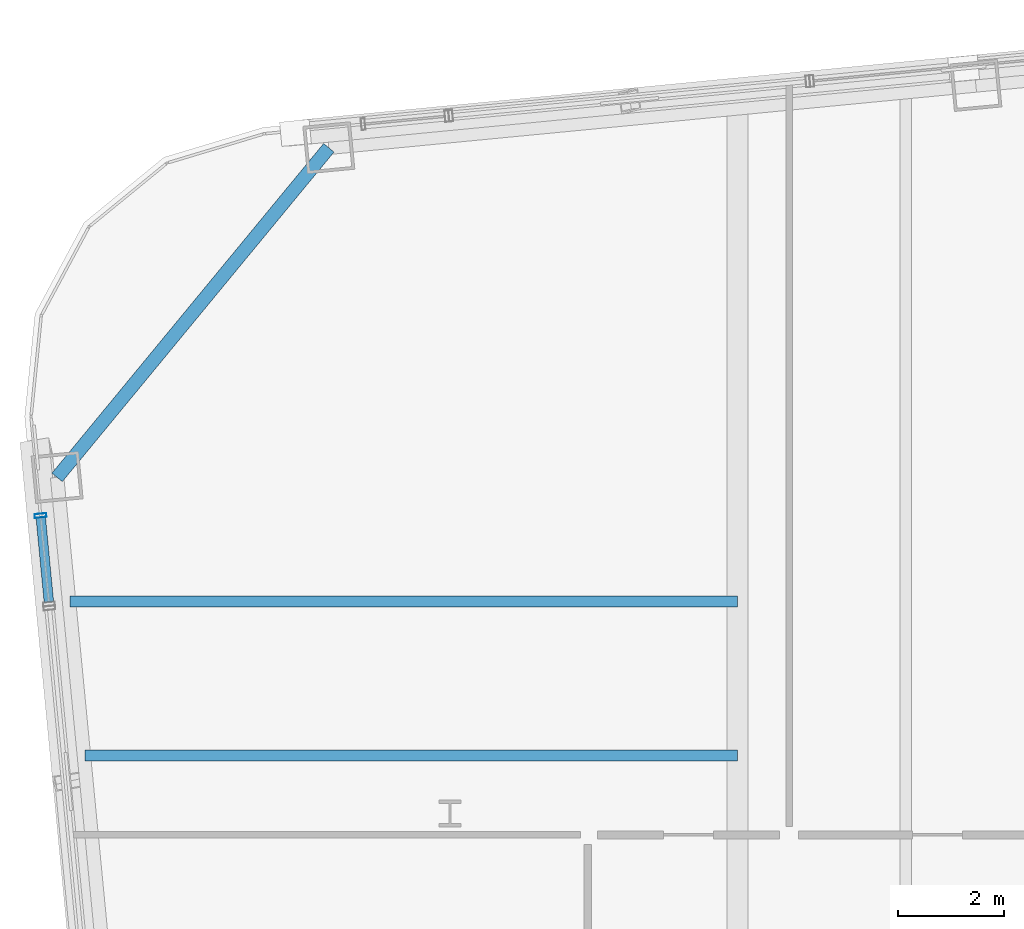
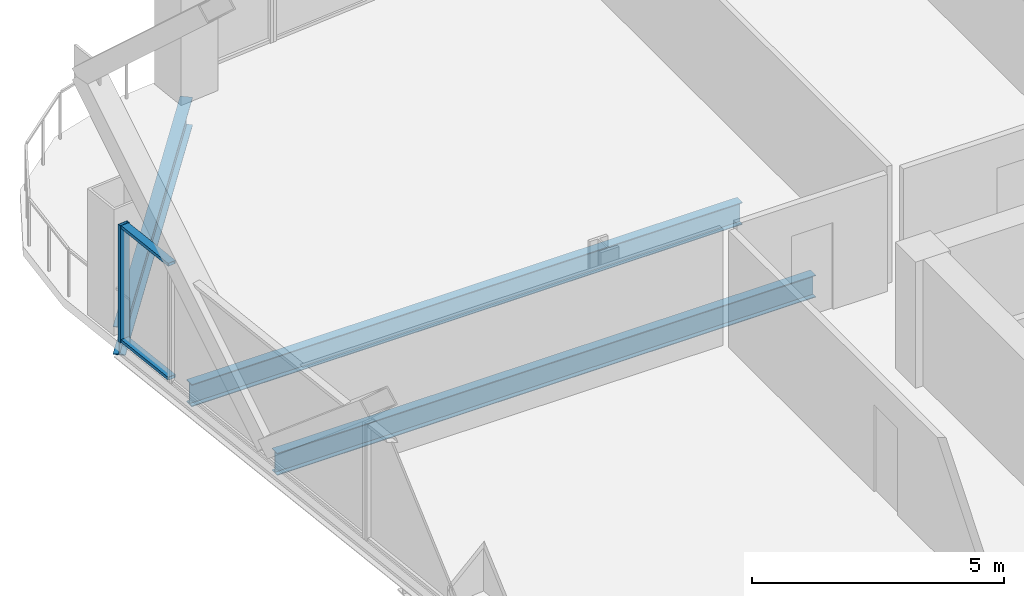
# One storey, part 19 of 32: 3 beams, 3 members, 1 element without a shape of its own.
"""IFC4 building model written with IfcOpenShell, lengths in metres."""

from ifc_helpers import new_model, si_unit, direction, frame, origin, origin_2d, place, context, subcontext, project, spatial, hollow_rectangle, i_section, extrude, material, layer, layer_set, material_profile, profile_set, type_object, element, aggregate, save


model = new_model("IFC4")

# Units and contexts
model_context = context("Model", 3, precision=1e-05, world=origin(), true_north=direction((0.0, 1.0)))
body_context = subcontext(model_context, "Body", "Model", "MODEL_VIEW")
ifc_project = project(units=[si_unit("LENGTHUNIT", "METRE"), si_unit("AREAUNIT", "SQUARE_METRE"), si_unit("VOLUMEUNIT", "CUBIC_METRE"), si_unit("PLANEANGLEUNIT", "RADIAN"), si_unit("MASSUNIT", "GRAM", prefix="KILO")], contexts=[model_context])

# Site, building, storey
site_placement = place(None, origin())
site = spatial("IfcSite", under=ifc_project, at=site_placement, CompositionType="ELEMENT")
building_placement = place(site_placement, origin())
building = spatial("IfcBuilding", under=site, at=building_placement, Name="Qhalaya Broadcast Tower", CompositionType="ELEMENT")
storey_placement = place(building_placement, frame((0.0, 0.0, 81.64990234375)))
storey = spatial("IfcBuildingStorey", under=building, at=storey_placement, Name="L23", CompositionType="ELEMENT", Elevation=81.64990234375)

# Beams
ifc_material_1 = material(Name="Structural Steel ASTM A992 Grade 50", Category="steel")
ifc_material_profile_1 = material_profile(ifc_material_1, i_section(OverallWidth=0.2099609375, OverallDepth=0.535888671875, WebThickness=0.010986328125, FlangeThickness=0.017333984375, at=origin_2d()), Name="W21X68")
ifc_profile_set_1 = profile_set([ifc_material_profile_1], Name="Structural Steel ASTM A992 Grade 50")
beam_type_1 = type_object("IfcBeamType", Name="Composite Floor Joist J02", PredefinedType="JOIST", material=ifc_profile_set_1)
beam_1_placement = place(storey_placement, frame((-21.6875, 14.300048828125, -0.48779296875), z_axis=(1.0, 0.0, 0.0), x_axis=(0.0, 1.0, 0.0)))
element("IfcBeam", 1, at=beam_1_placement, inside=storey, type_object=beam_type_1, Name="L23 J02 L23-JWE6W-1", PredefinedType="JOIST", context=body_context, shape_type="SweptSolid", body=[
    extrude(i_section(OverallWidth=0.2099609375, OverallDepth=0.535888671875, WebThickness=0.010986328125, FlangeThickness=0.017333984375, at=origin_2d()), origin(), (0.0, 0.0, 1.0), 12.3125),
])
beam_2_placement = place(storey_placement, frame((-21.966796875, 17.199951171875, -0.48779296875), z_axis=(1.0, 0.0, 0.0), x_axis=(0.0, 1.0, 0.0)))
element("IfcBeam", 2, at=beam_2_placement, inside=storey, type_object=beam_type_1, Name="L23 J02 L23-JWE7W-1", PredefinedType="JOIST", context=body_context, shape_type="SweptSolid", body=[
    extrude(i_section(OverallWidth=0.2099609375, OverallDepth=0.535888671875, WebThickness=0.010986328125, FlangeThickness=0.017333984375, at=origin_2d()), origin(), (0.0, 0.0, 1.0), 12.591796875),
])
ifc_material_profile_2 = material_profile(ifc_material_1, i_section(OverallWidth=0.25390625, OverallDepth=0.68310546875, WebThickness=0.012451171875, FlangeThickness=0.01904296875, at=origin_2d()), Name="W27X94")
ifc_profile_set_2 = profile_set([ifc_material_profile_2], Name="Structural Steel ASTM A992 Grade 50")
beam_type_2 = type_object("IfcBeamType", Name="Perimeter Ring Spandrel Beam SP1", PredefinedType="SPANDREL", material=ifc_profile_set_2)
beam_3_placement = place(storey_placement, frame((-17.085205078125, 25.765380859375, -0.5615234375), z_axis=(-0.636085107008, -0.771618906354, 0.0), x_axis=(0.771618906354, -0.636085107008, 0.0)))
element("IfcBeam", 3, at=beam_3_placement, inside=storey, type_object=beam_type_2, Name="L23 SP1 L23-SPR-12", PredefinedType="SPANDREL", context=body_context, shape_type="SweptSolid", body=[
    extrude(i_section(OverallWidth=0.25390625, OverallDepth=0.68310546875, WebThickness=0.012451171875, FlangeThickness=0.01904296875, at=origin_2d()), origin(), (0.0, 0.0, 1.0), 8.06103515625),
])

# Curtain wall, members
ifc_material_2 = material(Name="Solar-Control Low-E Triple Glazing", Category="glass")
ifc_layer = layer(ifc_material_2, 0.219970703125, Name="Solar-Control Low-E Triple Glazing")
ifc_layer_set = layer_set([ifc_layer], Name="Solar-Control Low-E Triple Glazing")
curtain_wall_type = type_object("IfcCurtainWallType", Name="Even-Block 4-Storey Double-Module Curtain Wall CW-03", PredefinedType="NOTDEFINED", material=ifc_layer_set)
curtain_wall_placement = place(storey_placement, origin())
curtain_wall = element("IfcCurtainWall", 4, at=curtain_wall_placement, inside=storey, type_object=curtain_wall_type, Name="L23 Unitised Curtain Wall L23-CW-W1", PredefinedType="NOTDEFINED")
ifc_material_3 = material(Name="Anodised Aluminium 6063-T6", Category="aluminium")
ifc_material_profile_3 = material_profile(ifc_material_3, hollow_rectangle(XDim=0.074951171875, YDim=0.219970703125, WallThickness=0.00390625, at=origin_2d()), Name="ALU-MUL 75x220x4")
ifc_profile_set_3 = profile_set([ifc_material_profile_3], Name="Anodised Aluminium 6063-T6")
member_type_1 = type_object("IfcMemberType", Name="Unitised Curtain-Wall Mullion M01", PredefinedType="MULLION", material=ifc_profile_set_3)
member_1_placement = place(storey_placement, frame((-22.52490234375, 18.82470703125, 0.0), z_axis=(0.0, 0.0, 1.0), x_axis=(0.095835306252, -0.995397204173, 0.0)))
member_1 = element("IfcMember", 5, at=member_1_placement, type_object=member_type_1, Name="CW-03 mullion 1", PredefinedType="MULLION", context=body_context, shape_type="SweptSolid", body=[
    extrude(hollow_rectangle(XDim=0.074951171875, YDim=0.219970703125, WallThickness=0.00390625, at=origin_2d()), origin(), (0.0, 0.0, 1.0), 2.830078125),
])
ifc_material_profile_4 = material_profile(ifc_material_3, hollow_rectangle(XDim=0.074951171875, YDim=0.179931640625, WallThickness=0.00390625, at=origin_2d()), Name="ALU-TRN 75x180x4")
ifc_profile_set_4 = profile_set([ifc_material_profile_4], Name="Anodised Aluminium 6063-T6")
member_type_2 = type_object("IfcMemberType", Name="Unitised Curtain-Wall Transom T01", PredefinedType="USERDEFINED", material=ifc_profile_set_4)
member_2_placement = place(storey_placement, frame((-22.521484375, 18.787353515625, 0.03759765625), z_axis=(0.095866324101, -0.995394217335, 0.0), x_axis=(0.0, 0.0, 1.0)))
member_2 = element("IfcMember", 6, at=member_2_placement, type_object=member_type_2, Name="CW-03 transom 1.1", ObjectType="TRANSOM", PredefinedType="USERDEFINED", context=body_context, shape_type="SweptSolid", body=[
    extrude(hollow_rectangle(XDim=0.074951171875, YDim=0.179931640625, WallThickness=0.00390625, at=origin_2d()), origin(), (0.0, 0.0, 1.0), 1.601806640625),
])
member_3_placement = place(storey_placement, frame((-22.521484375, 18.787353515625, 2.79248046875), z_axis=(0.095866324101, -0.995394217335, 0.0), x_axis=(0.0, 0.0, 1.0)))
member_3 = element("IfcMember", 7, at=member_3_placement, type_object=member_type_2, Name="CW-03 transom 1.2", ObjectType="TRANSOM", PredefinedType="USERDEFINED", context=body_context, shape_type="SweptSolid", body=[
    extrude(hollow_rectangle(XDim=0.074951171875, YDim=0.179931640625, WallThickness=0.00390625, at=origin_2d()), origin(), (0.0, 0.0, 1.0), 1.601806640625),
])
aggregate(curtain_wall, [member_1, member_2, member_3])

save(model, "model.ifc")
